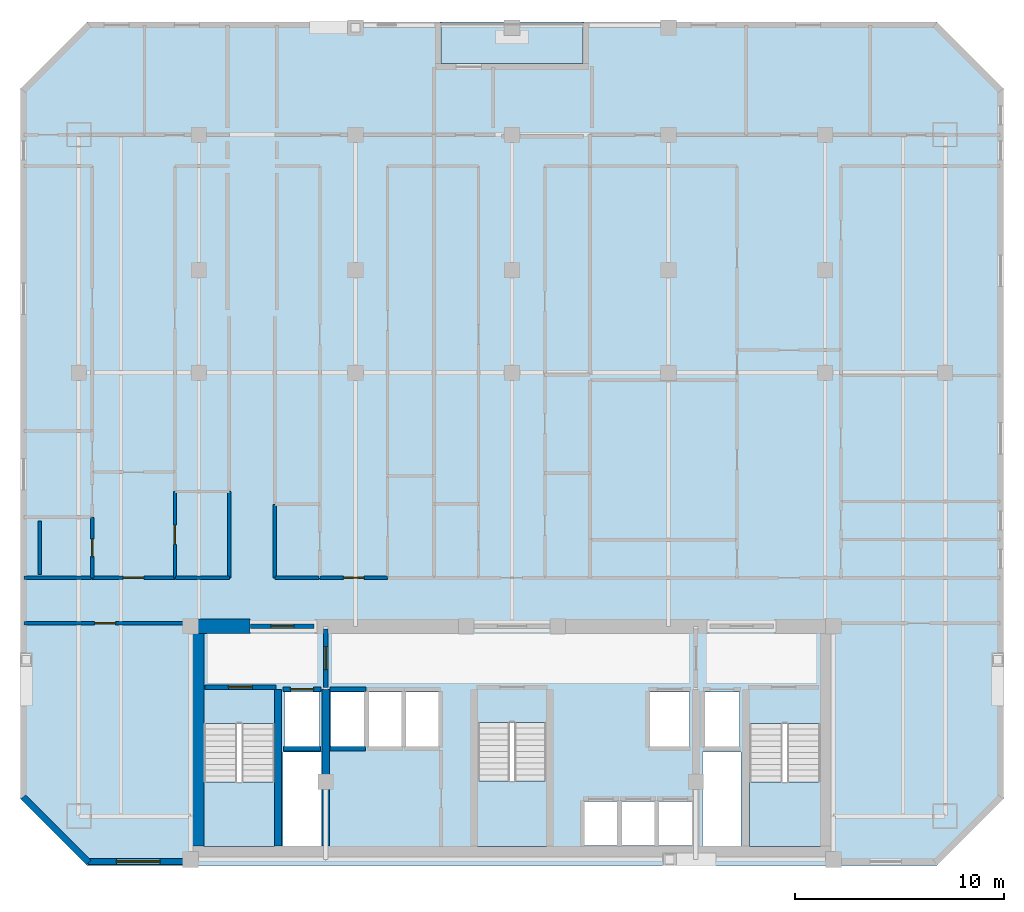
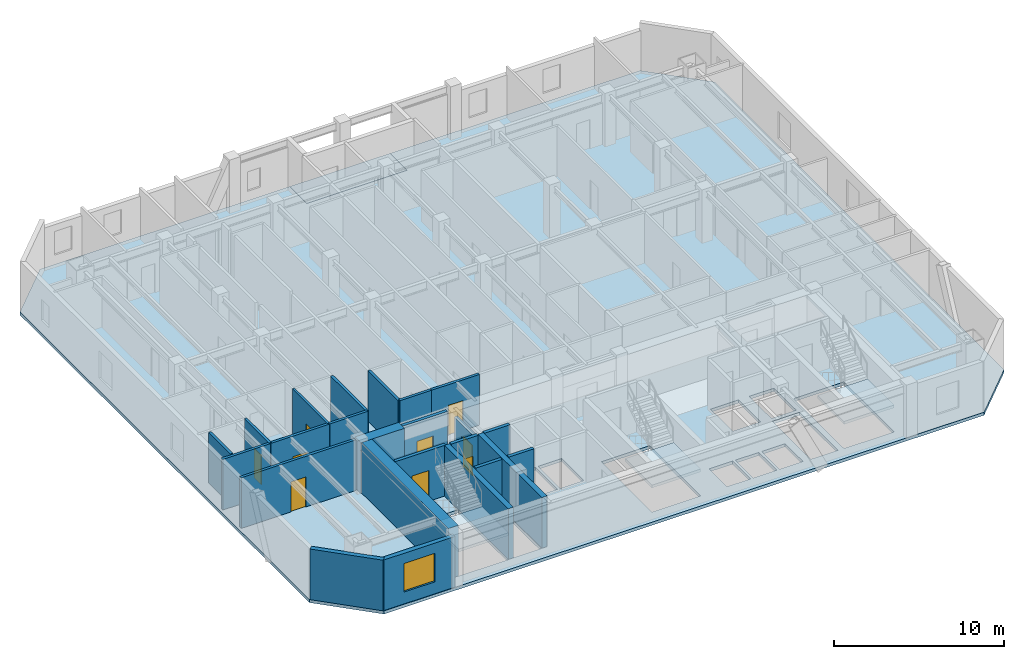
# One storey, part 2 of 8: 24 walls, 9 doors, 5 slabs, 1 window, 10 openings, 3 elements without a shape of their own.
"""IFC4 building model written with IfcOpenShell, lengths in metres."""

from ifc_helpers import new_model, si_unit, direction, frame, frame_2d, origin, place, context, subcontext, project, spatial, polyline, rectangle, outline, extrude, material, layer, layer_set, type_object, element, fill, aggregate, save


model = new_model("IFC4")

# Units and contexts
model_context = context("Model", 3, precision=1e-05, world=origin(), true_north=direction((0.0, 1.0)))
body_context = subcontext(model_context, "Body", "Model", "MODEL_VIEW")
ifc_project = project(units=[si_unit("LENGTHUNIT", "METRE"), si_unit("AREAUNIT", "SQUARE_METRE"), si_unit("VOLUMEUNIT", "CUBIC_METRE"), si_unit("PLANEANGLEUNIT", "RADIAN"), si_unit("MASSUNIT", "GRAM", prefix="KILO")], contexts=[model_context])

# Site, building, storey
site_placement = place(None, origin())
site = spatial("IfcSite", under=ifc_project, at=site_placement, CompositionType="ELEMENT")
building_placement = place(site_placement, origin())
building = spatial("IfcBuilding", under=site, at=building_placement, Name="Ventersveld Concourse Tower", CompositionType="ELEMENT")
storey_placement = place(building_placement, frame((0.0, 0.0, 168.300048828125)))
storey = spatial("IfcBuildingStorey", under=building, at=storey_placement, Name="L41", CompositionType="ELEMENT", Elevation=168.300048828125)

# Slabs
ifc_material_1 = material(Name="Concrete C50/60", Category="concrete")
ifc_layer_1 = layer(ifc_material_1, 0.219970703125)
ifc_layer_set_1 = layer_set([ifc_layer_1], Name="Concrete C50/60")
slab_type_1 = type_object("IfcSlabType", Name="SL-FLR-220", PredefinedType="FLOOR", material=ifc_layer_set_1)
slab_1_placement = place(storey_placement, frame((0.0, 0.0, -0.219970703125)))
element("IfcSlab", 1, at=slab_1_placement, inside=storey, type_object=slab_type_1, Name="L41 Composite Floor Slab", PredefinedType="FLOOR", context=body_context, shape_type="SweptSolid", body=[
    extrude(outline(polyline([(8.39990234375, 0.0), (49.10009765625, 0.0), (52.300048828125, 3.199951171875), (52.300048828125, 37.199951171875), (49.10009765625, 40.39990234375), (32.14990234375, 40.39990234375), (32.14990234375, 38.39990234375), (25.35009765625, 38.39990234375), (25.35009765625, 40.39990234375), (8.39990234375, 40.39990234375), (5.199951171875, 37.199951171875), (5.199951171875, 3.199951171875), (8.39990234375, 0.0)]), holes=[polyline([(13.97998046875, 6.794921875), (13.97998046875, 0.89990234375), (17.3798828125, 0.89990234375), (17.3798828125, 6.794921875), (13.97998046875, 6.794921875)]), polyline([(40.1201171875, 6.794921875), (40.1201171875, 0.89990234375), (43.52001953125, 0.89990234375), (43.52001953125, 6.794921875), (40.1201171875, 6.794921875)]), polyline([(27.10009765625, 6.844970703125), (27.10009765625, 0.89990234375), (30.39990234375, 0.89990234375), (30.39990234375, 6.844970703125), (27.10009765625, 6.844970703125)]), polyline([(17.85009765625, 5.699951171875), (19.530029296875, 5.699951171875), (19.530029296875, 8.300048828125), (17.85009765625, 8.300048828125), (17.85009765625, 5.699951171875)]), polyline([(37.969970703125, 5.699951171875), (39.64990234375, 5.699951171875), (39.64990234375, 8.300048828125), (37.969970703125, 8.300048828125), (37.969970703125, 5.699951171875)]), polyline([(35.35009765625, 5.699951171875), (37.25, 5.699951171875), (37.25, 8.300048828125), (35.35009765625, 8.300048828125), (35.35009765625, 5.699951171875)]), polyline([(32.2099609375, 0.949951171875), (33.81005859375, 0.949951171875), (33.81005859375, 3.050048828125), (32.2099609375, 3.050048828125), (32.2099609375, 0.949951171875)]), polyline([(33.989990234375, 0.949951171875), (35.590087890625, 0.949951171875), (35.590087890625, 3.050048828125), (33.989990234375, 3.050048828125), (33.989990234375, 0.949951171875)]), polyline([(35.77001953125, 0.949951171875), (37.3701171875, 0.949951171875), (37.3701171875, 3.050048828125), (35.77001953125, 3.050048828125), (35.77001953125, 0.949951171875)]), polyline([(20.090087890625, 5.699951171875), (21.68994140625, 5.699951171875), (21.68994140625, 8.300048828125), (20.090087890625, 8.300048828125), (20.090087890625, 5.699951171875)]), polyline([(21.8701171875, 5.699951171875), (23.469970703125, 5.699951171875), (23.469970703125, 8.300048828125), (21.8701171875, 8.300048828125), (21.8701171875, 5.699951171875)]), polyline([(23.64990234375, 5.699951171875), (25.25, 5.699951171875), (25.25, 8.300048828125), (23.64990234375, 8.300048828125), (23.64990234375, 5.699951171875)]), polyline([(17.780029296875, 0.919921875), (19.6201171875, 0.919921875), (19.6201171875, 5.419921875), (17.780029296875, 5.419921875), (17.780029296875, 0.919921875)]), polyline([(37.8798828125, 0.919921875), (39.719970703125, 0.919921875), (39.719970703125, 5.419921875), (37.8798828125, 5.419921875), (37.8798828125, 0.919921875)])]), origin(), (0.0, 0.0, 1.0), 0.219970703125),
])
slab_2_placement = place(storey_placement, frame((0.0, 0.0, -0.219970703125)))
element("IfcSlab", 2, at=slab_2_placement, inside=storey, type_object=slab_type_1, Name="L41 Outdoor Terrace Slab NOTCH-N", PredefinedType="FLOOR", context=body_context, shape_type="SweptSolid", body=[
    extrude(outline(polyline([(25.35009765625, 38.39990234375), (32.14990234375, 38.39990234375), (32.14990234375, 40.39990234375), (25.35009765625, 40.39990234375), (25.35009765625, 38.39990234375)])), origin(), (0.0, 0.0, 1.0), 0.219970703125),
])

# Stair, slab
stair_type_1 = type_object("IfcStairType", Name="ST-DOG-160", PredefinedType="HALF_TURN_STAIR", material=ifc_material_1)
stair_1_placement = place(storey_placement, origin())
stair_1 = element("IfcStair", 3, at=stair_1_placement, inside=storey, type_object=stair_type_1, Name="L41 Protected Tower Escape Stair ST-01", PredefinedType="HALF_TURN_STAIR")
ifc_layer_2 = layer(ifc_material_1, 0.199951171875)
ifc_layer_set_2 = layer_set([ifc_layer_2], Name="Concrete C50/60")
slab_type_2 = type_object("IfcSlabType", Name="SL-LND-200", PredefinedType="LANDING", material=ifc_layer_set_2)
slab_3_placement = place(storey_placement, frame((0.0, 0.0, 1.724853515625)))
slab_3 = element("IfcSlab", 4, at=slab_3_placement, type_object=slab_type_2, Name="ST-01 landing 1", PredefinedType="LANDING", context=body_context, shape_type="SweptSolid", body=[
    extrude(outline(polyline([(13.97998046875, 4.0), (13.97998046875, 0.89990234375), (17.3798828125, 0.89990234375), (17.3798828125, 4.0), (13.97998046875, 4.0)])), origin(), (0.0, 0.0, 1.0), 0.2001953125),
])
aggregate(stair_1, [slab_3])

stair_2_placement = place(storey_placement, origin())
stair_2 = element("IfcStair", 5, at=stair_2_placement, inside=storey, type_object=stair_type_1, Name="L41 Protected Tower Escape Stair ST-02", PredefinedType="HALF_TURN_STAIR")
slab_4_placement = place(storey_placement, frame((0.0, 0.0, 1.724853515625)))
slab_4 = element("IfcSlab", 6, at=slab_4_placement, type_object=slab_type_2, Name="ST-02 landing 1", PredefinedType="LANDING", context=body_context, shape_type="SweptSolid", body=[
    extrude(outline(polyline([(40.1201171875, 4.0), (40.1201171875, 0.89990234375), (43.52001953125, 0.89990234375), (43.52001953125, 4.0), (40.1201171875, 4.0)])), origin(), (0.0, 0.0, 1.0), 0.2001953125),
])
aggregate(stair_2, [slab_4])

stair_type_2 = type_object("IfcStairType", Name="ST-DOG-155", PredefinedType="HALF_TURN_STAIR", material=ifc_material_1)
stair_3_placement = place(storey_placement, origin())
stair_3 = element("IfcStair", 7, at=stair_3_placement, inside=storey, type_object=stair_type_2, Name="L41 Protected Central Core Escape Stair ST-03", PredefinedType="HALF_TURN_STAIR")
slab_5_placement = place(storey_placement, frame((0.0, 0.0, 1.724853515625)))
slab_5 = element("IfcSlab", 8, at=slab_5_placement, type_object=slab_type_2, Name="ST-03 landing 1", PredefinedType="LANDING", context=body_context, shape_type="SweptSolid", body=[
    extrude(outline(polyline([(27.10009765625, 4.050048828125), (27.10009765625, 0.89990234375), (30.39990234375, 0.89990234375), (30.39990234375, 4.050048828125), (27.10009765625, 4.050048828125)])), origin(), (0.0, 0.0, 1.0), 0.2001953125),
])
aggregate(stair_3, [slab_5])

# Walls
ifc_material_2 = material(Name="Concrete C60/75", Category="concrete")
ifc_layer_3 = layer(ifc_material_2, 0.35009765625)
ifc_layer_set_3 = layer_set([ifc_layer_3], Name="Concrete C60/75")
wall_type_1 = type_object("IfcWallType", Name="WL-CORE-350L", PredefinedType="SHEAR", material=ifc_layer_set_3)
for number, where, z_axis, x_axis, name in (
    (9, (17.5400390625, 0.919921875, 0.0), (0.0, 0.0, 1.0), (0.0, 1.0, 0.0), "L41 Core Internal Shear Web W-ST1-E"),
    (10, (19.820068359375, 0.919921875, 0.0), (0.0, 0.0, 1.0), (0.0, 1.0, 0.0), "L41 Core Internal Shear Web W-FF1-E"),
):
    element("IfcWall", number, at=place(storey_placement, frame(where, z_axis=z_axis, x_axis=x_axis)), inside=storey, type_object=wall_type_1, Name=name, PredefinedType="SHEAR", context=body_context, shape_type="SweptSolid", body=[
        extrude(rectangle(XDim=7.5, YDim=0.35009765625, at=frame_2d((3.75, 0.0))), origin(), (0.0, 0.0, 1.0), 3.6298828125),
    ])
ifc_layer_4 = layer(ifc_material_2, 0.699951171875)
ifc_layer_set_4 = layer_set([ifc_layer_4], Name="Concrete C60/75")
wall_type_2 = type_object("IfcWallType", Name="WL-CORE-700", PredefinedType="SHEAR", material=ifc_layer_set_4)
wall_1_placement = place(storey_placement, frame((13.64990234375, 0.919921875, 0.0), z_axis=(0.0, 0.0, 1.0), x_axis=(0.0, 1.0, 0.0)))
element("IfcWall", 11, at=wall_1_placement, inside=storey, type_object=wall_type_2, Name="L41 Rear Core West Shear Wall", PredefinedType="SHEAR", context=body_context, shape_type="SweptSolid", body=[
    extrude(rectangle(XDim=10.530029296875, YDim=0.699951171875, at=frame_2d((5.26513671875, 0.0))), origin(), (0.0, 0.0, 1.0), 3.6298828125),
])
wall_2_placement = place(storey_placement, frame((13.25, 11.449951171875, 0.0), z_axis=(0.0, 0.0, 1.0), x_axis=(1.0, 0.0, 0.0)))
element("IfcWall", 12, at=wall_2_placement, inside=storey, type_object=wall_type_2, Name="L41 Rear Core North Shear Wall NW", PredefinedType="SHEAR", context=body_context, shape_type="SweptSolid", body=[
    extrude(rectangle(XDim=2.949951171875, YDim=0.699951171875, at=frame_2d((1.47509765625, 0.0))), origin(), (0.0, 0.0, 1.0), 3.6298828125),
])

# Wall, opening, door
ifc_material_3 = material(Name="Fire-rated autoclaved aerated masonry blockwork", Category="masonry")
ifc_layer_5 = layer(ifc_material_3, 0.179931640625)
ifc_layer_set_5 = layer_set([ifc_layer_5], Name="Fire-rated autoclaved aerated masonry blockwork")
wall_type_3 = type_object("IfcWallType", Name="WL-CORR-180", PredefinedType="PARTITIONING", material=ifc_layer_set_5)
wall_3_placement = place(storey_placement, frame((5.37255859375, 11.60009765625, 0.0), z_axis=(0.0, 0.0, 1.0), x_axis=(1.0, 0.0, 0.0)))
wall_3 = element("IfcWall", 13, at=wall_3_placement, inside=storey, type_object=wall_type_3, Name="L41 Interior Partition SP-L41-SW-GAL-SP-L41-COR", PredefinedType="PARTITIONING", context=body_context, shape_type="SweptSolid", body=[
    extrude(rectangle(XDim=7.7724609375, YDim=0.179931640625, at=frame_2d((3.88623046875, 0.0))), origin(), (0.0, 0.0, 1.0), 3.6298828125),
])
opening_1_placement = place(wall_3_placement, frame((3.38623046875, 0.0, 0.0)))
opening_1 = element("IfcOpeningElement", 14, at=opening_1_placement, cuts=wall_3, Name="Opening FD3", PredefinedType="OPENING", context=body_context, shape_type="SweptSolid", body=[
    extrude(rectangle(XDim=1.0, YDim=2.14990234375, at=frame_2d((0.5, 1.074951171875))), frame((0.0, 0.10009765625, 0.0), z_axis=(0.0, -1.0, 0.0), x_axis=(1.0, 0.0, 0.0)), (0.0, 0.0, 1.0), 0.199951171875),
])
ifc_material_4 = material(Name="Solid-core hardwood veneer timber", Category="wood")
door_type_1 = type_object("IfcDoorType", Name="DR-FLAT-100", OperationType="NOTDEFINED", PredefinedType="DOOR", material=ifc_material_4)
door_1_placement = place(opening_1_placement, origin())
door_1 = element("IfcDoor", 15, at=door_1_placement, inside=storey, type_object=door_type_1, Name="L41 Interior Door SP-L41-SW-GAL to SP-L41-COR (D-L41-2000)", OperationType="SINGLE_SWING_RIGHT", OverallHeight=2.14990234375, OverallWidth=1.0, PredefinedType="DOOR", context=body_context, shape_type="SweptSolid", body=[
    extrude(rectangle(XDim=1.0, YDim=2.14990234375, at=frame_2d((0.5, 1.074951171875))), frame((0.0, 0.02490234375, 0.0), z_axis=(0.0, -1.0, 0.0), x_axis=(1.0, 0.0, 0.0)), (0.0, 0.0, 1.0), 0.050048828125),
])
fill(opening_1, door_1)

wall_4_placement = place(storey_placement, frame((8.635009765625, 13.77001953125, 0.0), z_axis=(0.0, 0.0, 1.0), x_axis=(1.0, 0.0, 0.0)))
wall_4 = element("IfcWall", 16, at=wall_4_placement, inside=storey, type_object=wall_type_3, Name="L41 Interior Partition SP-L41-COR-SP-L41-41NW-FOY", PredefinedType="PARTITIONING", context=body_context, shape_type="SweptSolid", body=[
    extrude(rectangle(XDim=3.969970703125, YDim=0.179931640625, at=frame_2d((1.98486328125, 0.0))), origin(), (0.0, 0.0, 1.0), 3.6298828125),
])
opening_2_placement = place(wall_4_placement, frame((1.485107421875, 0.0, 0.0)))
opening_2 = element("IfcOpeningElement", 17, at=opening_2_placement, cuts=wall_4, Name="Opening FD3", PredefinedType="OPENING", context=body_context, shape_type="SweptSolid", body=[
    extrude(rectangle(XDim=1.0, YDim=2.14990234375, at=frame_2d((0.5, 1.074951171875))), frame((0.0, 0.10009765625, 0.0), z_axis=(0.0, -1.0, 0.0), x_axis=(1.0, 0.0, 0.0)), (0.0, 0.0, 1.0), 0.199951171875),
])
door_2_placement = place(opening_2_placement, origin())
door_2 = element("IfcDoor", 18, at=door_2_placement, inside=storey, type_object=door_type_1, Name="L41 Interior Door SP-L41-COR to SP-L41-41NW-FOY (FD-L41-2002)", OperationType="SINGLE_SWING_RIGHT", OverallHeight=2.14990234375, OverallWidth=1.0, PredefinedType="DOOR", context=body_context, shape_type="SweptSolid", body=[
    extrude(rectangle(XDim=1.0, YDim=2.14990234375, at=frame_2d((0.5, 1.074951171875))), frame((0.0, 0.02490234375, 0.0), z_axis=(0.0, -1.0, 0.0), x_axis=(1.0, 0.0, 0.0)), (0.0, 0.0, 1.0), 0.050048828125),
])
fill(opening_2, door_2)

# Walls
wall_5_placement = place(storey_placement, frame((5.37255859375, 13.77001953125, 0.0), z_axis=(0.0, 0.0, 1.0), x_axis=(1.0, 0.0, 0.0)))
element("IfcWall", 19, at=wall_5_placement, inside=storey, type_object=wall_type_3, Name="L41 Interior Partition SP-L41-COR-SP-L41-41NW-BATH", PredefinedType="PARTITIONING", context=body_context, shape_type="SweptSolid", body=[
    extrude(rectangle(XDim=3.232421875, YDim=0.179931640625, at=frame_2d((1.6162109375, 0.0))), origin(), (0.0, 0.0, 1.0), 3.6298828125),
])
wall_6_placement = place(storey_placement, frame((15.2099609375, 13.764892578125, 0.0), z_axis=(0.0, 0.0, 1.0), x_axis=(0.0, 1.0, 0.0)))
element("IfcWall", 20, at=wall_6_placement, inside=storey, type_object=wall_type_3, Name="L41 Interior Partition SP-L41-COR-SP-L41-41NW-KIT", PredefinedType="PARTITIONING", context=body_context, shape_type="SweptSolid", body=[
    extrude(rectangle(XDim=4.140625, YDim=0.179931640625, at=frame_2d((2.0703125, 0.0))), origin(), (0.0, 0.0, 1.0), 3.6298828125),
])
wall_7_placement = place(storey_placement, frame((12.635009765625, 13.77001953125, 0.0), z_axis=(0.0, 0.0, 1.0), x_axis=(1.0, 0.0, 0.0)))
element("IfcWall", 21, at=wall_7_placement, inside=storey, type_object=wall_type_3, Name="L41 Interior Partition SP-L41-COR-SP-L41-41NW-KIT", PredefinedType="PARTITIONING", context=body_context, shape_type="SweptSolid", body=[
    extrude(rectangle(XDim=2.580078125, YDim=0.179931640625, at=frame_2d((1.2900390625, 0.0))), origin(), (0.0, 0.0, 1.0), 3.6298828125),
])

# Wall, opening, door
wall_8_placement = place(storey_placement, frame((19.542724609375, 13.77001953125, 0.0), z_axis=(0.0, 0.0, 1.0), x_axis=(1.0, 0.0, 0.0)))
wall_8 = element("IfcWall", 22, at=wall_8_placement, inside=storey, type_object=wall_type_3, Name="L41 Interior Partition SP-L41-COR-SP-L41-41CW-LIV", PredefinedType="PARTITIONING", context=body_context, shape_type="SweptSolid", body=[
    extrude(rectangle(XDim=3.25244140625, YDim=0.179931640625, at=frame_2d((1.626220703125, 0.0))), origin(), (0.0, 0.0, 1.0), 3.6298828125),
])
opening_3_placement = place(wall_8_placement, frame((1.126220703125, 0.0, 0.0)))
opening_3 = element("IfcOpeningElement", 23, at=opening_3_placement, cuts=wall_8, Name="Opening FD3", PredefinedType="OPENING", context=body_context, shape_type="SweptSolid", body=[
    extrude(rectangle(XDim=1.0, YDim=2.14990234375, at=frame_2d((0.5, 1.074951171875))), frame((0.0, 0.10009765625, 0.0), z_axis=(0.0, -1.0, 0.0), x_axis=(1.0, 0.0, 0.0)), (0.0, 0.0, 1.0), 0.199951171875),
])
door_3_placement = place(opening_3_placement, origin())
door_3 = element("IfcDoor", 24, at=door_3_placement, inside=storey, type_object=door_type_1, Name="L41 Interior Door SP-L41-COR to SP-L41-41CW-LIV (FD-L41-2003)", OperationType="SINGLE_SWING_LEFT", OverallHeight=2.14990234375, OverallWidth=1.0, PredefinedType="DOOR", context=body_context, shape_type="SweptSolid", body=[
    extrude(rectangle(XDim=1.0, YDim=2.14990234375, at=frame_2d((0.5, 1.074951171875))), frame((0.0, 0.02490234375, 0.0), z_axis=(0.0, -1.0, 0.0), x_axis=(1.0, 0.0, 0.0)), (0.0, 0.0, 1.0), 0.050048828125),
])
fill(opening_3, door_3)

# Walls
wall_9_placement = place(storey_placement, frame((17.389892578125, 13.764892578125, 0.0), z_axis=(0.0, 0.0, 1.0), x_axis=(0.0, 1.0, 0.0)))
element("IfcWall", 25, at=wall_9_placement, inside=storey, type_object=wall_type_3, Name="L41 Interior Partition SP-L41-COR-SP-L41-41CW-BATH", PredefinedType="PARTITIONING", context=body_context, shape_type="SweptSolid", body=[
    extrude(rectangle(XDim=3.527099609375, YDim=0.179931640625, at=frame_2d((1.763671875, 0.0))), origin(), (0.0, 0.0, 1.0), 3.6298828125),
])
wall_10_placement = place(storey_placement, frame((17.385009765625, 13.77001953125, 0.0), z_axis=(0.0, 0.0, 1.0), x_axis=(1.0, 0.0, 0.0)))
element("IfcWall", 26, at=wall_10_placement, inside=storey, type_object=wall_type_3, Name="L41 Interior Partition SP-L41-COR-SP-L41-41CW-BATH", PredefinedType="PARTITIONING", context=body_context, shape_type="SweptSolid", body=[
    extrude(rectangle(XDim=2.127685546875, YDim=0.179931640625, at=frame_2d((1.06396484375, 0.0))), origin(), (0.0, 0.0, 1.0), 3.6298828125),
])
ifc_layer_6 = layer(ifc_material_3, 0.219970703125)
ifc_layer_set_6 = layer_set([ifc_layer_6], Name="Fire-rated autoclaved aerated masonry blockwork")
wall_type_4 = type_object("IfcWallType", Name="WL-HOIST-220", PredefinedType="SOLIDWALL", material=ifc_layer_set_6)
wall_11_placement = place(storey_placement, frame((17.800048828125, 5.590087890625, 0.0), z_axis=(0.0, 0.0, 1.0), x_axis=(1.0, 0.0, 0.0)))
element("IfcWall", 27, at=wall_11_placement, inside=storey, type_object=wall_type_4, Name="L41 Lift Hoistway Back Wall FFL-01", PredefinedType="SOLIDWALL", context=body_context, shape_type="SweptSolid", body=[
    extrude(rectangle(XDim=1.780029296875, YDim=0.219970703125, at=frame_2d((0.89013671875, 0.0))), origin(), (0.0, 0.0, 1.0), 3.6298828125),
])

# Wall, opening, door
wall_12_placement = place(storey_placement, frame((17.780029296875, 8.429931640625, 0.0), z_axis=(0.0, 0.0, 1.0), x_axis=(1.0, 0.0, 0.0)))
wall_12 = element("IfcWall", 28, at=wall_12_placement, inside=storey, type_object=wall_type_4, Name="L41 Lift Hoistway Front Wall FFL-01", PredefinedType="SOLIDWALL", context=body_context, shape_type="SweptSolid", body=[
    extrude(rectangle(XDim=1.820068359375, YDim=0.219970703125, at=frame_2d((0.91015625, 0.0))), origin(), (0.0, 0.0, 1.0), 3.6298828125),
])
opening_4_placement = place(wall_12_placement, frame((0.35009765625, 0.0, 0.0)))
opening_4 = element("IfcOpeningElement", 29, at=opening_4_placement, cuts=wall_12, Name="Opening LD1", PredefinedType="OPENING", context=body_context, shape_type="SweptSolid", body=[
    extrude(rectangle(XDim=1.1201171875, YDim=2.25, at=frame_2d((0.56005859375, 1.125))), frame((0.0, 0.1201171875, 0.0), z_axis=(0.0, -1.0, 0.0), x_axis=(1.0, 0.0, 0.0)), (0.0, 0.0, 1.0), 0.239990234375),
])
ifc_material_5 = material(Name="Brushed stainless steel 316", Category="steel")
door_type_2 = type_object("IfcDoorType", Name="LD-FF-112", OperationType="SLIDING_TO_LEFT", PredefinedType="DOOR", material=ifc_material_5)
door_4_placement = place(opening_4_placement, origin())
door_4 = element("IfcDoor", 30, at=door_4_placement, inside=storey, type_object=door_type_2, Name="L41 Lift landing door FFL-01 (LD-L41-FFL-01)", OperationType="SLIDING_TO_LEFT", OverallHeight=2.25, OverallWidth=1.1201171875, PredefinedType="DOOR", context=body_context, shape_type="SweptSolid", body=[
    extrude(rectangle(XDim=1.1201171875, YDim=2.25, at=frame_2d((0.56005859375, 1.125))), frame((0.0, 0.02490234375, 0.0), z_axis=(0.0, -1.0, 0.0), x_axis=(1.0, 0.0, 0.0)), (0.0, 0.0, 1.0), 0.050048828125),
])
fill(opening_4, door_4)

# Walls
wall_13_placement = place(storey_placement, frame((20.0400390625, 5.590087890625, 0.0), z_axis=(0.0, 0.0, 1.0), x_axis=(1.0, 0.0, 0.0)))
element("IfcWall", 31, at=wall_13_placement, inside=storey, type_object=wall_type_4, Name="L41 Lift Hoistway Back Wall PH-01", PredefinedType="SOLIDWALL", context=body_context, shape_type="SweptSolid", body=[
    extrude(rectangle(XDim=1.699951171875, YDim=0.219970703125, at=frame_2d((0.85009765625, 0.0))), origin(), (0.0, 0.0, 1.0), 3.6298828125),
])
wall_14_placement = place(storey_placement, frame((20.02001953125, 8.429931640625, 0.0), z_axis=(0.0, 0.0, 1.0), x_axis=(1.0, 0.0, 0.0)))
element("IfcWall", 32, at=wall_14_placement, inside=storey, type_object=wall_type_4, Name="L41 Lift Hoistway Front Wall PH-01", PredefinedType="SOLIDWALL", context=body_context, shape_type="SweptSolid", body=[
    extrude(rectangle(XDim=1.739990234375, YDim=0.219970703125, at=frame_2d((0.8701171875, 0.0))), origin(), (0.0, 0.0, 1.0), 3.6298828125),
])

# Wall, opening, door
wall_15_placement = place(storey_placement, frame((14.0400390625, 8.52001953125, 0.0), z_axis=(0.0, 0.0, 1.0), x_axis=(1.0, 0.0, 0.0)))
wall_15 = element("IfcWall", 33, at=wall_15_placement, inside=storey, type_object=wall_type_4, Name="L41 Escape Stair ST01 Fire Wall", PredefinedType="SOLIDWALL", context=body_context, shape_type="SweptSolid", body=[
    extrude(rectangle(XDim=3.39990234375, YDim=0.219970703125, at=frame_2d((1.699951171875, 0.0))), origin(), (0.0, 0.0, 1.0), 3.6298828125),
])
opening_5_placement = place(wall_15_placement, frame((1.125, 0.0, 0.0)))
opening_5 = element("IfcOpeningElement", 34, at=opening_5_placement, cuts=wall_15, Name="Opening FD1", PredefinedType="OPENING", context=body_context, shape_type="SweptSolid", body=[
    extrude(rectangle(XDim=1.14990234375, YDim=2.199951171875, at=frame_2d((0.574951171875, 1.10009765625))), frame((0.0, 0.1201171875, 0.0), z_axis=(0.0, -1.0, 0.0), x_axis=(1.0, 0.0, 0.0)), (0.0, 0.0, 1.0), 0.239990234375),
])
ifc_material_6 = material(Name="Galvanised painted steel", Category="steel")
door_type_3 = type_object("IfcDoorType", Name="DR-STAIR-115", OperationType="NOTDEFINED", PredefinedType="DOOR", material=ifc_material_6)
door_5_placement = place(opening_5_placement, origin())
door_5 = element("IfcDoor", 35, at=door_5_placement, inside=storey, type_object=door_type_3, Name="L41 Escape Stair Door ST01 (SD-L41-1991)", OperationType="SINGLE_SWING_LEFT", OverallHeight=2.199951171875, OverallWidth=1.14990234375, PredefinedType="DOOR", context=body_context, shape_type="SweptSolid", body=[
    extrude(rectangle(XDim=1.14990234375, YDim=2.199951171875, at=frame_2d((0.574951171875, 1.10009765625))), frame((0.0, 0.02490234375, 0.0), z_axis=(0.0, -1.0, 0.0), x_axis=(1.0, 0.0, 0.0)), (0.0, 0.0, 1.0), 0.050048828125),
])
fill(opening_5, door_5)

wall_16_placement = place(storey_placement, frame((19.820068359375, 8.52001953125, 0.0), z_axis=(0.0, 0.0, 1.0), x_axis=(0.0, 1.0, 0.0)))
wall_16 = element("IfcWall", 36, at=wall_16_placement, inside=storey, type_object=wall_type_4, Name="L41 Firefighting Lobby Smoke-Stop Wall FFLW-SEP", PredefinedType="SOLIDWALL", context=body_context, shape_type="SweptSolid", body=[
    extrude(rectangle(XDim=2.800048828125, YDim=0.219970703125, at=frame_2d((1.39990234375, 0.0))), origin(), (0.0, 0.0, 1.0), 3.08544921875),
])
opening_6_placement = place(wall_16_placement, frame((0.85009765625, 0.0, 0.0)))
opening_6 = element("IfcOpeningElement", 37, at=opening_6_placement, cuts=wall_16, Name="Opening FD2", PredefinedType="OPENING", context=body_context, shape_type="SweptSolid", body=[
    extrude(rectangle(XDim=1.10009765625, YDim=2.199951171875, at=frame_2d((0.550048828125, 1.10009765625))), frame((0.0, 0.1201171875, 0.0), z_axis=(0.0, -1.0, 0.0), x_axis=(1.0, 0.0, 0.0)), (0.0, 0.0, 1.0), 0.239990234375),
])
door_type_4 = type_object("IfcDoorType", Name="DR-FFL-110", OperationType="NOTDEFINED", PredefinedType="DOOR", material=ifc_material_6)
door_6_placement = place(opening_6_placement, origin())
door_6 = element("IfcDoor", 38, at=door_6_placement, inside=storey, type_object=door_type_4, Name="L41 Firefighting Lobby Door FFLW-SEP (FD-L41-1994)", OperationType="SINGLE_SWING_LEFT", OverallHeight=2.199951171875, OverallWidth=1.10009765625, PredefinedType="DOOR", context=body_context, shape_type="SweptSolid", body=[
    extrude(rectangle(XDim=1.10009765625, YDim=2.199951171875, at=frame_2d((0.550048828125, 1.10009765625))), frame((0.0, 0.02490234375, 0.0), z_axis=(0.0, -1.0, 0.0), x_axis=(1.0, 0.0, 0.0)), (0.0, 0.0, 1.0), 0.050048828125),
])
fill(opening_6, door_6)

wall_17_placement = place(storey_placement, frame((16.22998046875, 11.449951171875, 0.0), z_axis=(0.0, 0.0, 1.0), x_axis=(1.0, 0.0, 0.0)))
wall_17 = element("IfcWall", 39, at=wall_17_placement, inside=storey, type_object=wall_type_4, Name="L41 Core North Fire Portal FFLW-OUT", PredefinedType="SOLIDWALL", context=body_context, shape_type="SweptSolid", body=[
    extrude(rectangle(XDim=3.0400390625, YDim=0.219970703125, at=frame_2d((1.52001953125, 0.0))), origin(), (0.0, 0.0, 1.0), 3.6298828125),
])
opening_7_placement = place(wall_17_placement, frame((0.969970703125, 0.0, 0.0)))
opening_7 = element("IfcOpeningElement", 40, at=opening_7_placement, cuts=wall_17, Name="Opening FD2", PredefinedType="OPENING", context=body_context, shape_type="SweptSolid", body=[
    extrude(rectangle(XDim=1.10009765625, YDim=2.199951171875, at=frame_2d((0.550048828125, 1.10009765625))), frame((0.0, 0.1201171875, 0.0), z_axis=(0.0, -1.0, 0.0), x_axis=(1.0, 0.0, 0.0)), (0.0, 0.0, 1.0), 0.239990234375),
])
door_7_placement = place(opening_7_placement, origin())
door_7 = element("IfcDoor", 41, at=door_7_placement, inside=storey, type_object=door_type_4, Name="L41 Core Lobby Fire Door FFLW-OUT (FD-L41-1996)", OperationType="SINGLE_SWING_RIGHT", OverallHeight=2.199951171875, OverallWidth=1.10009765625, PredefinedType="DOOR", context=body_context, shape_type="SweptSolid", body=[
    extrude(rectangle(XDim=1.10009765625, YDim=2.199951171875, at=frame_2d((0.550048828125, 1.10009765625))), frame((0.0, 0.02490234375, 0.0), z_axis=(0.0, -1.0, 0.0), x_axis=(1.0, 0.0, 0.0)), (0.0, 0.0, 1.0), 0.050048828125),
])
fill(opening_7, door_7)

ifc_material_7 = material(Name="Autoclaved aerated masonry blockwork", Category="masonry")
ifc_layer_7 = layer(ifc_material_7, 0.14990234375)
ifc_layer_set_7 = layer_set([ifc_layer_7], Name="Autoclaved aerated masonry blockwork")
wall_type_5 = type_object("IfcWallType", Name="WL-INT-150", PredefinedType="PARTITIONING", material=ifc_layer_set_7)
wall_18_placement = place(storey_placement, frame((12.60009765625, 13.764892578125, 0.0), z_axis=(0.0, 0.0, 1.0), x_axis=(0.0, 1.0, 0.0)))
wall_18 = element("IfcWall", 42, at=wall_18_placement, inside=storey, type_object=wall_type_5, Name="L41 Interior Partition SP-L41-41NW-FOY-SP-L41-41NW-KIT", PredefinedType="PARTITIONING", context=body_context, shape_type="SweptSolid", body=[
    extrude(rectangle(XDim=4.140625, YDim=0.14990234375, at=frame_2d((2.0703125, 0.0))), origin(), (0.0, 0.0, 1.0), 3.6298828125),
])
opening_8_placement = place(wall_18_placement, frame((1.6103515625, 0.0, 0.0)))
opening_8 = element("IfcOpeningElement", 43, at=opening_8_placement, cuts=wall_18, Name="Opening ID1", PredefinedType="OPENING", context=body_context, shape_type="SweptSolid", body=[
    extrude(rectangle(XDim=0.919921875, YDim=2.10009765625, at=frame_2d((0.4599609375, 1.050048828125))), frame((0.0, 0.0849609375, 0.0), z_axis=(0.0, -1.0, 0.0), x_axis=(1.0, 0.0, 0.0)), (0.0, 0.0, 1.0), 0.169921875),
])
door_type_5 = type_object("IfcDoorType", Name="DR-ROOM-092", OperationType="NOTDEFINED", PredefinedType="DOOR", material=ifc_material_4)
door_8_placement = place(opening_8_placement, origin())
door_8 = element("IfcDoor", 44, at=door_8_placement, inside=storey, type_object=door_type_5, Name="L41 Interior Door SP-L41-41NW-FOY to SP-L41-41NW-KIT (D-L41-2009)", OperationType="SINGLE_SWING_LEFT", OverallHeight=2.10009765625, OverallWidth=0.919921875, PredefinedType="DOOR", context=body_context, shape_type="SweptSolid", body=[
    extrude(rectangle(XDim=0.919921875, YDim=2.10009765625, at=frame_2d((0.4599609375, 1.050048828125))), frame((0.0, 0.02490234375, 0.0), z_axis=(0.0, -1.0, 0.0), x_axis=(1.0, 0.0, 0.0)), (0.0, 0.0, 1.0), 0.050048828125),
])
fill(opening_8, door_8)

# Wall, opening, window
ifc_material_8 = material(Name="Precast concrete C45/55", Category="concrete")
ifc_layer_8 = layer(ifc_material_8, 0.300048828125)
ifc_layer_set_8 = layer_set([ifc_layer_8], Name="Precast concrete C45/55")
wall_type_6 = type_object("IfcWallType", Name="WL-PREC-300", PredefinedType="SOLIDWALL", material=ifc_layer_set_8)
wall_19_placement = place(storey_placement, frame((8.43994140625, 0.179931640625, 0.0), z_axis=(0.0, 0.0, 1.0), x_axis=(1.0, 0.0, 0.0)))
wall_19 = element("IfcWall", 45, at=wall_19_placement, inside=storey, type_object=wall_type_6, Name="L41 South-West Flank Precast Wall", PredefinedType="SOLIDWALL", context=body_context, shape_type="SweptSolid", body=[
    extrude(rectangle(XDim=4.81005859375, YDim=0.300048828125, at=frame_2d((2.405029296875, 0.0))), origin(), (0.0, 0.0, 1.0), 3.6298828125),
])
opening_9_placement = place(wall_19_placement, frame((1.35498046875, 0.0, 0.85009765625)))
opening_9 = element("IfcOpeningElement", 46, at=opening_9_placement, cuts=wall_19, Name="Opening W7", PredefinedType="OPENING", context=body_context, shape_type="SweptSolid", body=[
    extrude(rectangle(XDim=2.10009765625, YDim=2.050048828125, at=frame_2d((1.050048828125, 1.02490234375))), frame((0.0, 0.16015625, 0.0), z_axis=(0.0, -1.0, 0.0), x_axis=(1.0, 0.0, 0.0)), (0.0, 0.0, 1.0), 0.320068359375),
])
ifc_material_9 = material(Name="Tempered acoustic Low-E IGU", Category="glass")
window_type = type_object("IfcWindowType", Name="WIN-210x205", PartitioningType="SINGLE_PANEL", PredefinedType="WINDOW", material=ifc_material_9)
window_placement = place(opening_9_placement, origin())
window = element("IfcWindow", 47, at=window_placement, inside=storey, type_object=window_type, Name="L41 Punched Low-E Window W-0547", OverallHeight=2.050048828125, OverallWidth=2.10009765625, PartitioningType="SINGLE_PANEL", PredefinedType="WINDOW", context=body_context, shape_type="SweptSolid", body=[
    extrude(rectangle(XDim=2.10009765625, YDim=2.050048828125, at=frame_2d((1.050048828125, 1.02490234375))), frame((0.0, 0.030029296875, 0.0), z_axis=(0.0, -1.0, 0.0), x_axis=(1.0, 0.0, 0.0)), (0.0, 0.0, 1.0), 0.06005859375),
])
fill(opening_9, window)

# Wall
wall_20_placement = place(storey_placement, frame((5.33447265625, 3.27783203125, 0.0), z_axis=(0.0, 0.0, 1.0), x_axis=(0.707106781187, -0.707106781187, 0.0)))
element("IfcWall", 48, at=wall_20_placement, inside=storey, type_object=wall_type_6, Name="L41 Highveld Precast Facade Wall E12", PredefinedType="SOLIDWALL", context=body_context, shape_type="SweptSolid", body=[
    extrude(rectangle(XDim=4.4453125, YDim=0.300048828125, at=frame_2d((2.22265625, 0.0))), origin(), (0.0, 0.0, 1.0), 3.6298828125),
])

# Wall, opening, door
ifc_layer_9 = layer(ifc_material_7, 0.1650390625)
ifc_layer_set_9 = layer_set([ifc_layer_9], Name="Autoclaved aerated masonry blockwork")
wall_type_7 = type_object("IfcWallType", Name="WL-WET-165", PredefinedType="PLUMBINGWALL", material=ifc_layer_set_9)
wall_21_placement = place(storey_placement, frame((8.639892578125, 13.764892578125, 0.0), z_axis=(0.0, 0.0, 1.0), x_axis=(0.0, 1.0, 0.0)))
wall_21 = element("IfcWall", 49, at=wall_21_placement, inside=storey, type_object=wall_type_7, Name="L41 Interior Partition SP-L41-41NW-FOY-SP-L41-41NW-BATH", PredefinedType="PLUMBINGWALL", context=body_context, shape_type="SweptSolid", body=[
    extrude(rectangle(XDim=2.906005859375, YDim=0.1650390625, at=frame_2d((1.453125, 0.0))), origin(), (0.0, 0.0, 1.0), 3.6298828125),
])
opening_10_placement = place(wall_21_placement, frame((1.028076171875, 0.0, 0.0)))
opening_10 = element("IfcOpeningElement", 50, at=opening_10_placement, cuts=wall_21, Name="Opening ID2", PredefinedType="OPENING", context=body_context, shape_type="SweptSolid", body=[
    extrude(rectangle(XDim=0.85009765625, YDim=2.10009765625, at=frame_2d((0.425048828125, 1.050048828125))), frame((0.0, 0.092529296875, 0.0), z_axis=(0.0, -1.0, 0.0), x_axis=(1.0, 0.0, 0.0)), (0.0, 0.0, 1.0), 0.18505859375),
])
door_type_6 = type_object("IfcDoorType", Name="DR-BATH-085", OperationType="NOTDEFINED", PredefinedType="DOOR", material=ifc_material_4)
door_9_placement = place(opening_10_placement, origin())
door_9 = element("IfcDoor", 51, at=door_9_placement, inside=storey, type_object=door_type_6, Name="L41 Interior Door SP-L41-41NW-FOY to SP-L41-41NW-BATH (D-L41-2007)", OperationType="SINGLE_SWING_LEFT", OverallHeight=2.10009765625, OverallWidth=0.85009765625, PredefinedType="DOOR", context=body_context, shape_type="SweptSolid", body=[
    extrude(rectangle(XDim=0.85009765625, YDim=2.10009765625, at=frame_2d((0.425048828125, 1.050048828125))), frame((0.0, 0.02490234375, 0.0), z_axis=(0.0, -1.0, 0.0), x_axis=(1.0, 0.0, 0.0)), (0.0, 0.0, 1.0), 0.050048828125),
])
fill(opening_10, door_9)

# Wall
wall_22_placement = place(storey_placement, frame((6.1201171875, 13.93505859375, 0.0), z_axis=(0.0, 0.0, 1.0), x_axis=(0.0, 1.0, 0.0)))
element("IfcWall", 52, at=wall_22_placement, inside=storey, type_object=wall_type_7, Name="L41 Room Enclosure Wall SP-L41-41NW-BATH", PredefinedType="PLUMBINGWALL", context=body_context, shape_type="SweptSolid", body=[
    extrude(rectangle(XDim=2.56591796875, YDim=0.1650390625, at=frame_2d((1.282958984375, 0.0))), origin(), (0.0, 0.0, 1.0), 3.6298828125),
])

save(model, "model.ifc")
